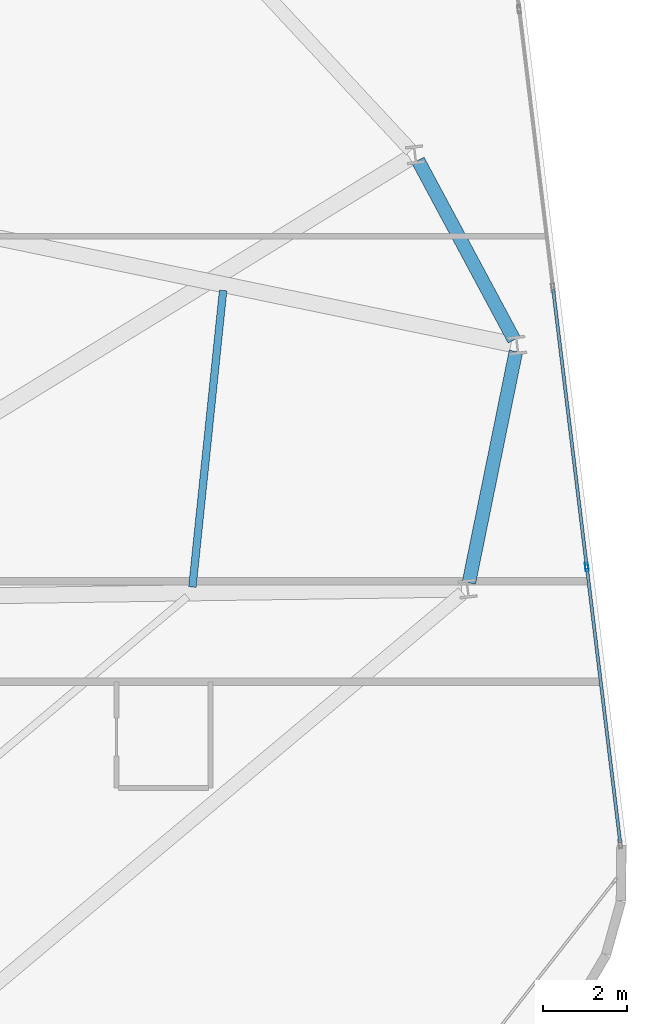
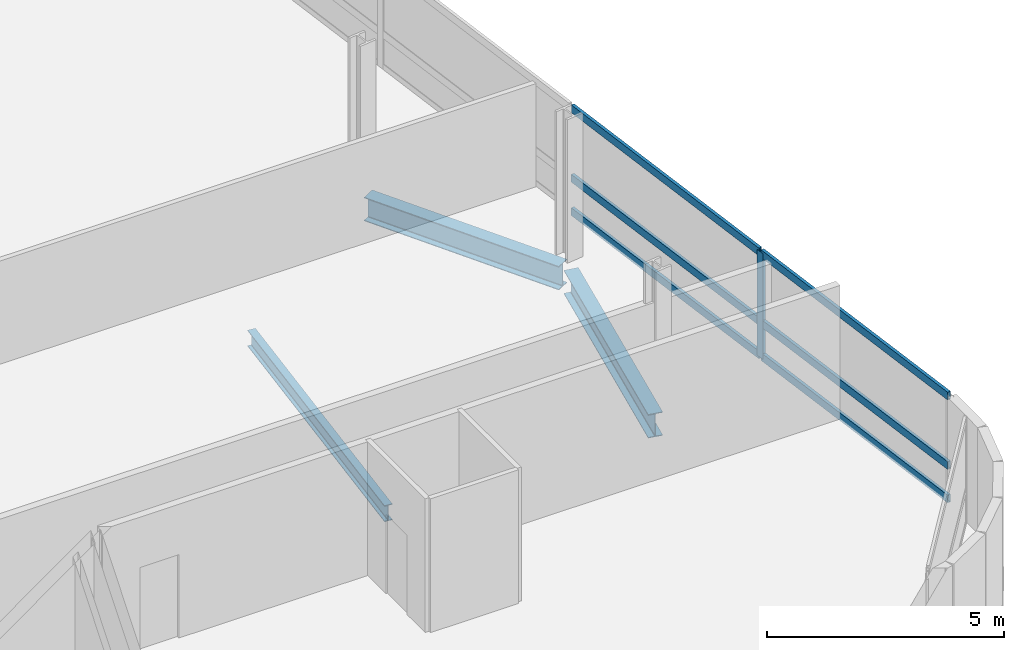
# One storey, part 11 of 24: 7 members, 3 beams, 1 element without a shape of its own.
"""IFC4 building model written with IfcOpenShell, lengths in metres."""

from ifc_helpers import new_model, si_unit, direction, frame, origin, origin_2d, place, context, subcontext, project, spatial, hollow_rectangle, i_section, extrude, material, layer, layer_set, material_profile, profile_set, type_object, element, aggregate, save


model = new_model("IFC4")

# Units and contexts
model_context = context("Model", 3, precision=1e-05, world=origin(), true_north=direction((0.0, 1.0)))
body_context = subcontext(model_context, "Body", "Model", "MODEL_VIEW")
ifc_project = project(units=[si_unit("LENGTHUNIT", "METRE"), si_unit("AREAUNIT", "SQUARE_METRE"), si_unit("VOLUMEUNIT", "CUBIC_METRE"), si_unit("PLANEANGLEUNIT", "RADIAN"), si_unit("MASSUNIT", "GRAM", prefix="KILO")], contexts=[model_context])

# Site, building, storey
site_placement = place(None, origin())
site = spatial("IfcSite", under=ifc_project, at=site_placement, CompositionType="ELEMENT")
building_placement = place(site_placement, origin())
building = spatial("IfcBuilding", under=site, at=building_placement, Name="Varnelok Gate Tower", CompositionType="ELEMENT")
storey_placement = place(building_placement, frame((0.0, 0.0, 196.800048828125)))
storey = spatial("IfcBuildingStorey", under=building, at=storey_placement, Name="L50", CompositionType="ELEMENT", Elevation=196.800048828125)

# Beams
ifc_material_1 = material(Name="Structural Steel ASTM A992 Grade 50", Category="steel")
ifc_material_profile_1 = material_profile(ifc_material_1, i_section(OverallWidth=0.180908203125, OverallDepth=0.4169921875, WebThickness=0.010986328125, FlangeThickness=0.018310546875, FilletRadius=0.013916015625, at=origin_2d()), Name="W16X57")
ifc_profile_set_1 = profile_set([ifc_material_profile_1], Name="Structural Steel ASTM A992 Grade 50")
beam_type_1 = type_object("IfcBeamType", Name="BM-JST-W16X57", PredefinedType="JOIST", material=ifc_profile_set_1)
beam_1_placement = place(storey_placement, frame((65.931884765625, 19.1064453125, -0.45849609375), z_axis=(0.103076572184, 0.994673423927, 0.0), x_axis=(-0.994673423927, 0.103076572184, 0.0)))
element("IfcBeam", 1, at=beam_1_placement, inside=storey, type_object=beam_type_1, Name="L50 Sector Floor Joist 6", PredefinedType="JOIST", context=body_context, shape_type="SweptSolid", body=[
    extrude(i_section(OverallWidth=0.180908203125, OverallDepth=0.4169921875, WebThickness=0.010986328125, FlangeThickness=0.018310546875, FilletRadius=0.013916015625, at=origin_2d()), origin(), (0.0, 0.0, 1.0), 7.089111328125),
])
ifc_material_profile_2 = material_profile(ifc_material_1, i_section(OverallWidth=0.323974609375, OverallDepth=0.611083984375, WebThickness=0.0126953125, FlangeThickness=0.01904296875, FilletRadius=0.01806640625, at=origin_2d()), Name="W24X104")
ifc_profile_set_2 = profile_set([ifc_material_profile_2], Name="Structural Steel ASTM A992 Grade 50")
beam_type_2 = type_object("IfcBeamType", Name="BM-SPN-W24X104", PredefinedType="SPANDREL", material=ifc_profile_set_2)
beam_2_placement = place(storey_placement, frame((72.5068359375, 19.206298828125, -0.5556640625), z_axis=(0.19911018886, 0.979977108249, 0.0), x_axis=(-0.979977108249, 0.19911018886, 0.0)))
element("IfcBeam", 2, at=beam_2_placement, inside=storey, type_object=beam_type_2, Name="L50 Perimeter Spandrel Beam 6", PredefinedType="SPANDREL", context=body_context, shape_type="SweptSolid", body=[
    extrude(i_section(OverallWidth=0.323974609375, OverallDepth=0.611083984375, WebThickness=0.0126953125, FlangeThickness=0.01904296875, FilletRadius=0.01806640625, at=origin_2d()), origin(), (0.0, 0.0, 1.0), 5.612060546875),
])
beam_3_placement = place(storey_placement, frame((73.583251953125, 24.9853515625, -0.5556640625), z_axis=(-0.472471917257, 0.881345725242, 0.0), x_axis=(-0.881345725242, -0.472471917257, 0.0)))
element("IfcBeam", 3, at=beam_3_placement, inside=storey, type_object=beam_type_2, Name="L50 Perimeter Spandrel Beam 7", PredefinedType="SPANDREL", context=body_context, shape_type="SweptSolid", body=[
    extrude(i_section(OverallWidth=0.323974609375, OverallDepth=0.611083984375, WebThickness=0.0126953125, FlangeThickness=0.01904296875, FilletRadius=0.01806640625, at=origin_2d()), origin(), (0.0, 0.0, 1.0), 4.8408203125),
])

# Curtain wall, members
ifc_material_2 = material(Name="Anodized Aluminum Alloy 6063-T6", Category="aluminium")
ifc_layer = layer(ifc_material_2, 0.179931640625)
ifc_layer_set = layer_set([ifc_layer], Name="Anodized Aluminum Alloy 6063-T6")
curtain_wall_type = type_object("IfcCurtainWallType", Name="CW4-RESIDENCE-VISION", PredefinedType="USERDEFINED", material=ifc_layer_set)
curtain_wall_placement = place(storey_placement, origin())
curtain_wall = element("IfcCurtainWall", 4, at=curtain_wall_placement, inside=storey, type_object=curtain_wall_type, Name="L50 East End Vision Curtain Wall", ObjectType="UNITISED CURTAIN WALL", PredefinedType="USERDEFINED")
ifc_material_profile_3 = material_profile(ifc_material_2, hollow_rectangle(XDim=0.074951171875, YDim=0.199951171875, WallThickness=0.00390625, at=origin_2d()), Name="ALU200X75X4")
ifc_profile_set_3 = profile_set([ifc_material_profile_3], Name="Anodized Aluminum Alloy 6063-T6")
member_type_1 = type_object("IfcMemberType", Name="CW-MULL-200", PredefinedType="MULLION", material=ifc_profile_set_3)
member_1_placement = place(storey_placement, frame((75.310302734375, 19.584228515625, 0.0), z_axis=(0.0, 0.0, 1.0), x_axis=(0.992732188751, 0.120344511371, 0.0)))
member_1 = element("IfcMember", 5, at=member_1_placement, type_object=member_type_1, Name="CW4 mullion 5", PredefinedType="MULLION", context=body_context, shape_type="SweptSolid", body=[
    extrude(hollow_rectangle(XDim=0.074951171875, YDim=0.199951171875, WallThickness=0.00390625, at=origin_2d()), origin(), (0.0, 0.0, 1.0), 2.72998046875),
])
ifc_material_profile_4 = material_profile(ifc_material_2, hollow_rectangle(XDim=0.074951171875, YDim=0.199951171875, WallThickness=0.00390625, at=origin_2d()), Name="ALU200X75X4")
ifc_profile_set_4 = profile_set([ifc_material_profile_4], Name="Anodized Aluminum Alloy 6063-T6")
member_type_2 = type_object("IfcMemberType", Name="CW-TRAN-200", PredefinedType="USERDEFINED", material=ifc_profile_set_4)
member_2_placement = place(storey_placement, frame((74.510986328125, 26.178466796875, 0.037353515625), z_axis=(0.120349029092, -0.992731641078, 0.0), x_axis=(0.992731641078, 0.120349029092, 0.0)))
member_2 = element("IfcMember", 6, at=member_2_placement, type_object=member_type_2, Name="CW4 transom 4.1", ObjectType="TRANSOM", PredefinedType="USERDEFINED", context=body_context, shape_type="SweptSolid", body=[
    extrude(hollow_rectangle(XDim=0.074951171875, YDim=0.199951171875, WallThickness=0.00390625, at=origin_2d()), origin(), (0.0, 0.0, 1.0), 6.605224609375),
])
member_3_placement = place(storey_placement, frame((74.510986328125, 26.178466796875, 0.89990234375), z_axis=(0.120349029092, -0.992731641078, 0.0), x_axis=(0.992731641078, 0.120349029092, 0.0)))
member_3 = element("IfcMember", 7, at=member_3_placement, type_object=member_type_2, Name="CW4 transom 4.2", ObjectType="TRANSOM", PredefinedType="USERDEFINED", context=body_context, shape_type="SweptSolid", body=[
    extrude(hollow_rectangle(XDim=0.074951171875, YDim=0.199951171875, WallThickness=0.00390625, at=origin_2d()), origin(), (0.0, 0.0, 1.0), 6.605224609375),
])
member_4_placement = place(storey_placement, frame((74.510986328125, 26.178466796875, 2.6923828125), z_axis=(0.120349029092, -0.992731641078, 0.0), x_axis=(0.992731641078, 0.120349029092, 0.0)))
member_4 = element("IfcMember", 8, at=member_4_placement, type_object=member_type_2, Name="CW4 transom 4.3", ObjectType="TRANSOM", PredefinedType="USERDEFINED", context=body_context, shape_type="SweptSolid", body=[
    extrude(hollow_rectangle(XDim=0.074951171875, YDim=0.199951171875, WallThickness=0.00390625, at=origin_2d()), origin(), (0.0, 0.0, 1.0), 6.605224609375),
])
member_5_placement = place(storey_placement, frame((75.314697265625, 19.546875, 0.037353515625), z_axis=(0.120369113246, -0.992729206066, 0.0), x_axis=(0.992729206066, 0.120369113246, 0.0)))
member_5 = element("IfcMember", 9, at=member_5_placement, type_object=member_type_2, Name="CW4 transom 5.1", ObjectType="TRANSOM", PredefinedType="USERDEFINED", context=body_context, shape_type="SweptSolid", body=[
    extrude(hollow_rectangle(XDim=0.074951171875, YDim=0.199951171875, WallThickness=0.00390625, at=origin_2d()), origin(), (0.0, 0.0, 1.0), 6.567626953125),
])
member_6_placement = place(storey_placement, frame((75.314697265625, 19.546875, 0.89990234375), z_axis=(0.120369113246, -0.992729206066, 0.0), x_axis=(0.992729206066, 0.120369113246, 0.0)))
member_6 = element("IfcMember", 10, at=member_6_placement, type_object=member_type_2, Name="CW4 transom 5.2", ObjectType="TRANSOM", PredefinedType="USERDEFINED", context=body_context, shape_type="SweptSolid", body=[
    extrude(hollow_rectangle(XDim=0.074951171875, YDim=0.199951171875, WallThickness=0.00390625, at=origin_2d()), origin(), (0.0, 0.0, 1.0), 6.567626953125),
])
member_7_placement = place(storey_placement, frame((75.314697265625, 19.546875, 2.6923828125), z_axis=(0.120369113246, -0.992729206066, 0.0), x_axis=(0.992729206066, 0.120369113246, 0.0)))
member_7 = element("IfcMember", 11, at=member_7_placement, type_object=member_type_2, Name="CW4 transom 5.3", ObjectType="TRANSOM", PredefinedType="USERDEFINED", context=body_context, shape_type="SweptSolid", body=[
    extrude(hollow_rectangle(XDim=0.074951171875, YDim=0.199951171875, WallThickness=0.00390625, at=origin_2d()), origin(), (0.0, 0.0, 1.0), 6.567626953125),
])
aggregate(curtain_wall, [member_1, member_2, member_3, member_4, member_5, member_6, member_7])

save(model, "model.ifc")
